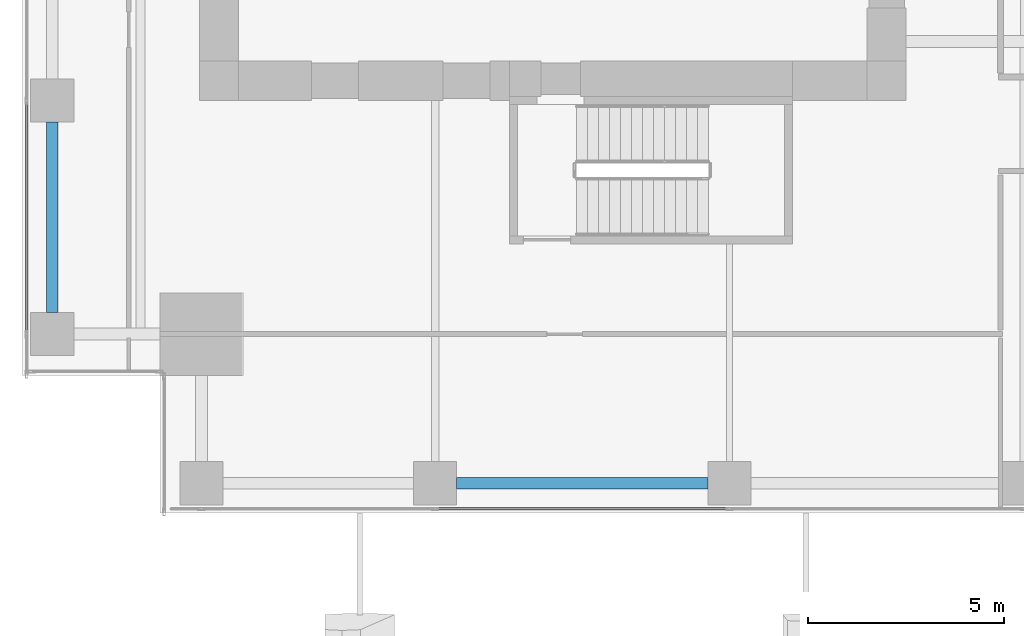
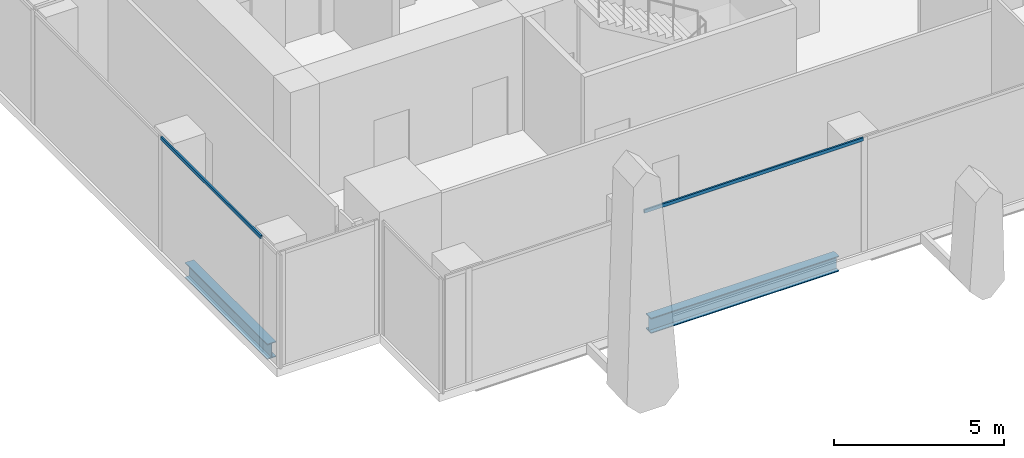
# One storey, part 3 of 35: 2 beams, 2 members, 2 elements without a shape of their own.
"""IFC4 building model written with IfcOpenShell, lengths in metres."""

from ifc_helpers import new_model, si_unit, direction, frame, origin, origin_2d, place, context, subcontext, project, spatial, hollow_rectangle, i_section, extrude, source, transform, mapped, material, material_profile, profile_set, type_object, element, aggregate, save


model = new_model("IFC4")

# Units and contexts
model_context = context("Model", 3, precision=1e-05, world=origin(), true_north=direction((0.0, 1.0)))
body_context = subcontext(model_context, "Body", "Model", "MODEL_VIEW")
ifc_project = project(units=[si_unit("LENGTHUNIT", "METRE"), si_unit("AREAUNIT", "SQUARE_METRE"), si_unit("VOLUMEUNIT", "CUBIC_METRE"), si_unit("PLANEANGLEUNIT", "RADIAN"), si_unit("MASSUNIT", "GRAM", prefix="KILO")], contexts=[model_context])

# Site, building, storey
site_placement = place(None, origin())
site = spatial("IfcSite", under=ifc_project, at=site_placement, CompositionType="ELEMENT")
building_placement = place(site_placement, origin())
building = spatial("IfcBuilding", under=site, at=building_placement, Name="Khomas Fold Tower", CompositionType="ELEMENT")
storey_placement = place(building_placement, frame((0.0, 0.0, 136.699951171875)))
storey = spatial("IfcBuildingStorey", under=building, at=storey_placement, Name="L29", CompositionType="ELEMENT", Elevation=136.699951171875)

# Beams
ifc_material_1 = material(Name="Steel S355", Category="steel")
ifc_material_profile_1 = material_profile(ifc_material_1, i_section(OverallWidth=0.300048828125, OverallDepth=0.550048828125, WebThickness=0.014892578125, FlangeThickness=0.029052734375, at=origin_2d()), Name="HE 550 B")
ifc_profile_set_1 = profile_set([ifc_material_profile_1], Name="Steel S355")
beam_type = type_object("IfcBeamType", Name="HE 550 B spandrel SB2", PredefinedType="SPANDREL", material=ifc_profile_set_1)
shared_shape_1 = source(origin(), body_context, "Body", "SweptSolid", [
    extrude(i_section(OverallWidth=0.300048828125, OverallDepth=0.550048828125, WebThickness=0.014892578125, FlangeThickness=0.029052734375, at=origin_2d()), origin(), (0.0, 0.0, 1.0), 4.849853515625),
])
beam_1_placement = place(storey_placement, frame((2.25, 6.60009765625, -0.574951171875), z_axis=(0.0, 1.0, 0.0), x_axis=(-1.0, 0.0, 0.0)))
element("IfcBeam", 1, at=beam_1_placement, inside=storey, type_object=beam_type, Name="SB2", PredefinedType="SPANDREL", context=body_context, shape_type="MappedRepresentation", body=[
    mapped(shared_shape_1, transform((0.0, 0.0, 0.0))),
])
shared_shape_2 = source(origin(), body_context, "Body", "SweptSolid", [
    extrude(i_section(OverallWidth=0.300048828125, OverallDepth=0.550048828125, WebThickness=0.014892578125, FlangeThickness=0.029052734375, at=origin_2d()), origin(), (0.0, 0.0, 1.0), 6.39990234375),
])
beam_2_placement = place(storey_placement, frame((12.550048828125, 2.25, -0.574951171875), z_axis=(1.0, 0.0, 0.0), x_axis=(0.0, 1.0, 0.0)))
element("IfcBeam", 2, at=beam_2_placement, inside=storey, type_object=beam_type, Name="SB2", PredefinedType="SPANDREL", context=body_context, shape_type="MappedRepresentation", body=[
    mapped(shared_shape_2, transform((0.0, 0.0, 0.0))),
])

# Curtain wall, member
ifc_material_2 = material(Name="Aluminium framed double glazing", Category="aluminium")
curtain_wall_type = type_object("IfcCurtainWallType", Name="SK-Unitised clear-glass wall, growing floors CW1", PredefinedType="NOTDEFINED", material=ifc_material_2)
curtain_wall_1_placement = place(storey_placement, origin())
curtain_wall_1 = element("IfcCurtainWall", 3, at=curtain_wall_1_placement, inside=storey, type_object=curtain_wall_type, Name="CW1 run L29 00-0", PredefinedType="NOTDEFINED")
ifc_material_3 = material(Name="Aluminium", Category="aluminium")
ifc_material_profile_2 = material_profile(ifc_material_3, hollow_rectangle(XDim=0.06005859375, YDim=0.1201171875, WallThickness=0.00390625, at=origin_2d()), Name="SK-Unitised clear-glass wall, growing floors transom CW1-T")
ifc_profile_set_2 = profile_set([ifc_material_profile_2], Name="Aluminium")
member_type = type_object("IfcMemberType", Name="SK-Unitised clear-glass wall, growing floors transom CW1-T", PredefinedType="USERDEFINED", material=ifc_profile_set_2)
shared_shape_3 = source(origin(), body_context, "Body", "SweptSolid", [
    extrude(hollow_rectangle(XDim=0.06005859375, YDim=0.1201171875, WallThickness=0.00390625, at=origin_2d()), origin(), (0.0, 0.0, 1.0), 7.43994140625),
])
member_1_placement = place(storey_placement, frame((12.030029296875, 1.60009765625, 4.0400390625), z_axis=(1.0, 0.0, 0.0), x_axis=(0.0, 1.0, 0.0)))
member_1 = element("IfcMember", 4, at=member_1_placement, type_object=member_type, Name="CW1 transom 3", ObjectType="TRANSOM", PredefinedType="USERDEFINED", context=body_context, shape_type="MappedRepresentation", body=[
    mapped(shared_shape_3, transform((0.0, 0.0, 0.0))),
])
aggregate(curtain_wall_1, [member_1])

curtain_wall_2_placement = place(storey_placement, origin())
curtain_wall_2 = element("IfcCurtainWall", 5, at=curtain_wall_2_placement, inside=storey, type_object=curtain_wall_type, Name="CW1 run L29 09-1", PredefinedType="NOTDEFINED")
shared_shape_4 = source(origin(), body_context, "Body", "SweptSolid", [
    extrude(hollow_rectangle(XDim=0.06005859375, YDim=0.1201171875, WallThickness=0.00390625, at=origin_2d()), origin(), (0.0, 0.0, 1.0), 5.889892578125),
])
member_2_placement = place(storey_placement, frame((1.60009765625, 11.969970703125, 4.0400390625), z_axis=(0.0, -1.0, 0.0), x_axis=(1.0, 0.0, 0.0)))
member_2 = element("IfcMember", 6, at=member_2_placement, type_object=member_type, Name="CW1 transom 4", ObjectType="TRANSOM", PredefinedType="USERDEFINED", context=body_context, shape_type="MappedRepresentation", body=[
    mapped(shared_shape_4, transform((0.0, 0.0, 0.0))),
])
aggregate(curtain_wall_2, [member_2])

save(model, "model.ifc")
